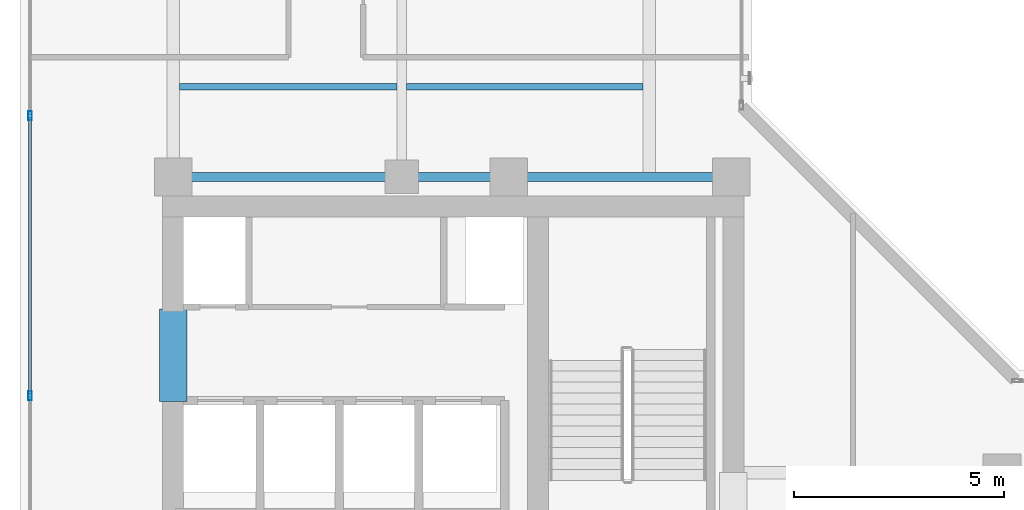
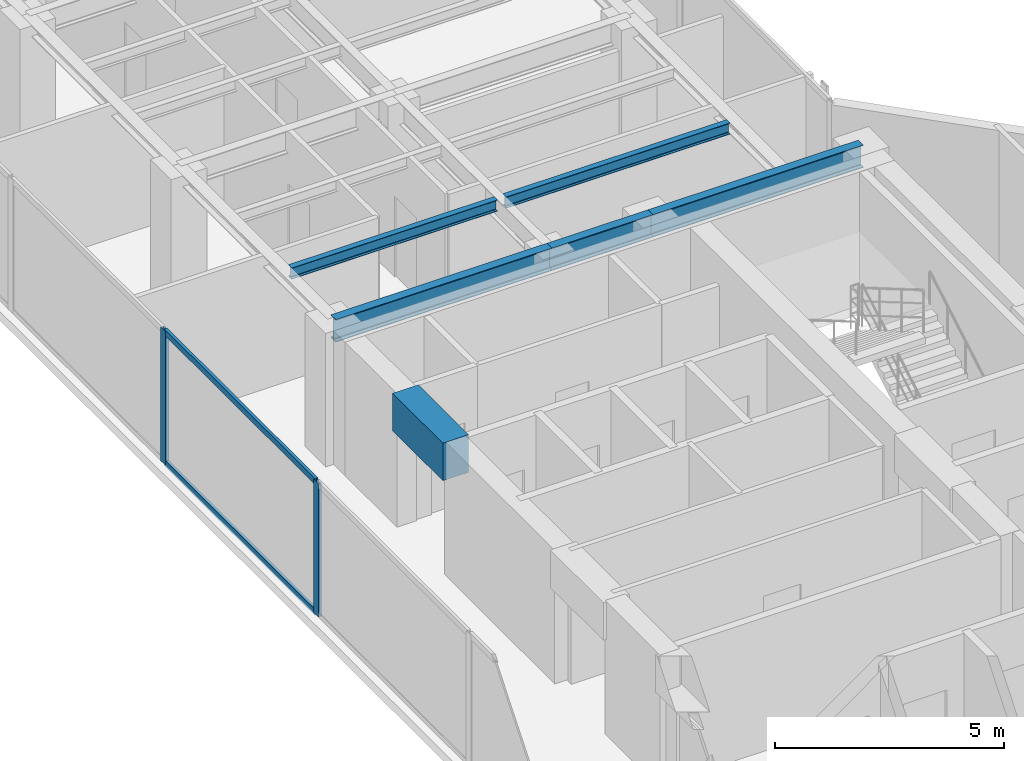
# One storey, part 7 of 22: 6 beams, 4 members, 1 element without a shape of its own.
"""IFC4 building model written with IfcOpenShell, lengths in metres."""

import ifcopenshell
import ifcopenshell.guid

model = None  # the IFC model being written
_history = None  # IfcOwnerHistory: only IFC2X3 demands one
_inside = {}  # id of a spatial element -> (the spatial element, [elements in it])
_under = {}  # id of a project, library or spatial element -> (it, [spatial elements below it])
_declared = {}  # id of a project -> (the project, [libraries it declares])
_typed = {}  # id of a type object -> (the type object, [elements of that type])
_made_of = {}  # id of a material, layer set ... -> (it, [elements and type objects made of it])


def new_model(schema):
    """Start an empty IFC model of exactly this schema.

    Asked for "IFC4X3", IfcOpenShell would pick the latest addendum, in which some entities
    have other attributes; the version numbers below select the first issue.
    IFC2X3 requires an IfcOwnerHistory on every rooted entity: one is made here for all.
    """
    global model, _history
    if schema == "IFC4X3":
        model = ifcopenshell.file(schema_version=(4, 3, 0, 0))
    else:
        model = ifcopenshell.file(schema=schema)
    _inside.clear()
    _under.clear()
    _declared.clear()
    _typed.clear()
    _made_of.clear()
    _history = None
    if model.schema == "IFC2X3":
        org = make("IfcOrganization", Name="unknown")
        user = make(
            "IfcPersonAndOrganization",
            ThePerson=make("IfcPerson", FamilyName="unknown"),
            TheOrganization=org,
        )
        app = make(
            "IfcApplication",
            ApplicationDeveloper=org,
            Version="unknown",
            ApplicationFullName="unknown",
            ApplicationIdentifier="unknown",
        )
        _history = make(
            "IfcOwnerHistory",
            OwningUser=user,
            OwningApplication=app,
            ChangeAction="ADDED",
            CreationDate=0,
        )
    return model


def make(cls, **values):
    """One entity of the class cls with the attributes given. An attribute that is None is left unset."""
    return model.create_entity(
        cls, **{name: value for name, value in values.items() if value is not None}
    )


def rooted(cls, **values):
    """An entity with a GlobalId (a new one), such as an element, a storey or a relation."""
    return make(cls, GlobalId=ifcopenshell.guid.new(), OwnerHistory=_history, **values)


def si_unit(unit_type, name, prefix=None):
    """IfcSIUnit, for example si_unit("LENGTHUNIT", "METRE", prefix="MILLI")."""
    return make("IfcSIUnit", UnitType=unit_type, Prefix=prefix, Name=name)


def assignment(units):
    """IfcUnitAssignment: the units of a project."""
    return None if units is None else make("IfcUnitAssignment", Units=units)


def point(xyz):
    """IfcCartesianPoint."""
    return None if xyz is None else make("IfcCartesianPoint", Coordinates=xyz)


def direction(xyz):
    """IfcDirection."""
    return None if xyz is None else make("IfcDirection", DirectionRatios=xyz)


def frame(location, z_axis=None, x_axis=None):
    """IfcAxis2Placement3D, a coordinate frame: its origin and axes. An axis left out is left unset."""
    return make(
        "IfcAxis2Placement3D",
        Location=point(location),
        Axis=direction(z_axis),
        RefDirection=direction(x_axis),
    )


def frame_2d(location, x_axis=None):
    """IfcAxis2Placement2D, a coordinate frame in the plane: its origin and x axis."""
    return make(
        "IfcAxis2Placement2D", Location=point(location), RefDirection=direction(x_axis)
    )


def origin():
    """The frame at (0, 0, 0) with its axes left unset."""
    return frame((0.0, 0.0, 0.0))


def origin_with_axes():
    """The frame at (0, 0, 0) with the z axis (0, 0, 1) and the x axis (1, 0, 0) written out."""
    return frame((0.0, 0.0, 0.0), z_axis=(0.0, 0.0, 1.0), x_axis=(1.0, 0.0, 0.0))


def origin_2d():
    """The frame at (0, 0) in the plane with its x axis left unset."""
    return frame_2d((0.0, 0.0))


def place(relative_to, where):
    """IfcLocalPlacement: puts the frame where relative to a parent placement (None: the world)."""
    return make(
        "IfcLocalPlacement", PlacementRelTo=relative_to, RelativePlacement=where
    )


def context(
    kind, dimensions, precision=None, world=None, true_north=None, identifier=None
):
    """IfcGeometricRepresentationContext, for example the 3D "Model" context."""
    return make(
        "IfcGeometricRepresentationContext",
        ContextIdentifier=identifier,
        ContextType=kind,
        CoordinateSpaceDimension=dimensions,
        Precision=precision,
        WorldCoordinateSystem=world,
        TrueNorth=true_north,
    )


def subcontext(parent, identifier, kind, view, scale=None):
    """IfcGeometricRepresentationSubContext, for example "Body" below "Model"."""
    return make(
        "IfcGeometricRepresentationSubContext",
        ContextIdentifier=identifier,
        ContextType=kind,
        ParentContext=parent,
        TargetScale=scale,
        TargetView=view,
    )


def project(units=None, contexts=None):
    """IfcProject with its units and contexts."""
    return rooted(
        "IfcProject",
        Name="project",
        RepresentationContexts=contexts,
        UnitsInContext=assignment(units),
    )


def spatial(cls, under=None, at=None, **own):
    """A site, building, storey or space (cls), placed at a placement, below another one or the project."""
    s = rooted(cls, ObjectPlacement=at, **own)
    if under is not None:
        _under.setdefault(under.id(), (under, []))[1].append(s)
    return s


def profile(cls, at=None, kind="AREA", **sizes):
    """A parametric profile (cls). Its sizes go by their IFC names, for example OverallWidth=200.0."""
    return make(cls, ProfileType=kind, Position=at, **sizes)


def rectangle(**sizes):
    """IfcRectangleProfileDef."""
    return profile("IfcRectangleProfileDef", **sizes)


def hollow_rectangle(**sizes):
    """IfcRectangleHollowProfileDef."""
    return profile("IfcRectangleHollowProfileDef", **sizes)


def i_section(**sizes):
    """IfcIShapeProfileDef."""
    return profile("IfcIShapeProfileDef", **sizes)


def extrude(swept, where, along, depth):
    """IfcExtrudedAreaSolid: the profile swept, set in the frame where, extruded along a direction by depth."""
    return make(
        "IfcExtrudedAreaSolid",
        SweptArea=swept,
        Position=where,
        ExtrudedDirection=direction(along),
        Depth=depth,
    )


def shape(context_of_items, identifier, shape_type, items):
    """IfcShapeRepresentation: the items that make up one representation, for example the "Body"."""
    return make(
        "IfcShapeRepresentation",
        ContextOfItems=context_of_items,
        RepresentationIdentifier=identifier,
        RepresentationType=shape_type,
        Items=items,
    )


def source(mapping_origin, context_of_items, identifier, shape_type, items):
    """IfcRepresentationMap: a shape defined once, which mapped items show again and again."""
    return make(
        "IfcRepresentationMap",
        MappingOrigin=mapping_origin,
        MappedRepresentation=shape(context_of_items, identifier, shape_type, items),
    )


def transform(
    local_origin,
    x_axis=None,
    y_axis=None,
    z_axis=None,
    scale=None,
    scale2=None,
    scale3=None,
    uniform=True,
):
    """IfcCartesianTransformationOperator3D, or its non-uniform kind. x_axis, y_axis, z_axis: its Axis1, 2, 3."""
    if uniform:
        return make(
            "IfcCartesianTransformationOperator3D",
            Axis1=direction(x_axis),
            Axis2=direction(y_axis),
            LocalOrigin=point(local_origin),
            Scale=scale,
            Axis3=direction(z_axis),
        )
    return make(
        "IfcCartesianTransformationOperator3DnonUniform",
        Axis1=direction(x_axis),
        Axis2=direction(y_axis),
        LocalOrigin=point(local_origin),
        Scale=scale,
        Axis3=direction(z_axis),
        Scale2=scale2,
        Scale3=scale3,
    )


def mapped(mapping_source, mapping_target):
    """IfcMappedItem: shows the shape of a source again, moved by a transform."""
    return make(
        "IfcMappedItem", MappingSource=mapping_source, MappingTarget=mapping_target
    )


def material(Name=None, Category=None):
    """IfcMaterial."""
    return make("IfcMaterial", Name=Name, Category=Category)


def layer(
    of_material, thickness, ventilated=None, Name=None, Category=None, Priority=None
):
    """IfcMaterialLayer: one layer of a wall or slab, of a material (None: an air gap)."""
    return make(
        "IfcMaterialLayer",
        Material=of_material,
        LayerThickness=thickness,
        IsVentilated=ventilated,
        Name=Name,
        Category=Category,
        Priority=Priority,
    )


def layer_set(layers, Name=None):
    """IfcMaterialLayerSet."""
    return make("IfcMaterialLayerSet", MaterialLayers=layers, LayerSetName=Name)


def material_profile(
    of_material, cross_section, Name=None, Category=None, Priority=None
):
    """IfcMaterialProfile: a cross section and its material."""
    return make(
        "IfcMaterialProfile",
        Name=Name,
        Material=of_material,
        Profile=cross_section,
        Priority=Priority,
        Category=Category,
    )


def profile_set(profiles, Name=None, composite=None):
    """IfcMaterialProfileSet."""
    return make(
        "IfcMaterialProfileSet",
        Name=Name,
        MaterialProfiles=profiles,
        CompositeProfile=composite,
    )


def made_of(thing, what):
    """Note that an element or type object is made of a material, layer set ...; save() writes the relation."""
    if what is not None:
        _made_of.setdefault(what.id(), (what, []))[1].append(thing)
    return thing


def type_object(cls, material=None, **own):
    """A type object (cls), such as IfcWallType, which elements share."""
    return made_of(rooted(cls, **own), material)


def element(
    cls,
    number,
    at=None,
    inside=None,
    cuts=None,
    type_object=None,
    material=None,
    context=None,
    identifier="Body",
    shape_type=None,
    held_by="IfcProductDefinitionShape",
    body=None,
    shapes=None,
    **own,
):
    """One element of the class cls, such as IfcWall. Its Tag is "e" and its number.

    at: its placement. inside: the storey or other place that contains it. cuts: it is an
    opening in that element (IfcRelVoidsElement). A single representation is given by context,
    identifier, shape_type and body (its items); several are given by shapes. held_by: the class
    of the entity that holds the representations. save() writes the other relations.
    """
    e = rooted(cls, Tag="e%d" % number, ObjectPlacement=at, **own)
    if body is not None:
        shapes = [shape(context, identifier, shape_type, body)]
    if shapes is not None:
        e.Representation = make(held_by, Representations=shapes)
    if inside is not None:
        _inside.setdefault(inside.id(), (inside, []))[1].append(e)
    if cuts is not None:
        rooted(
            "IfcRelVoidsElement", RelatingBuildingElement=cuts, RelatedOpeningElement=e
        )
    if type_object is not None:
        _typed.setdefault(type_object.id(), (type_object, []))[1].append(e)
    return made_of(e, material)


def aggregate(whole, parts):
    """IfcRelAggregates: a whole, such as a stair, and the parts it consists of."""
    return rooted("IfcRelAggregates", RelatingObject=whole, RelatedObjects=parts)


def save(model, path):
    """Write the relations noted so far, then the file.

    IfcRelAggregates (storeys below a building ...), IfcRelContainedInSpatialStructure (elements
    in a storey), IfcRelDefinesByType, IfcRelAssociatesMaterial and IfcRelDeclares: one each for
    every whole, place, type object, material and project.
    """
    for whole, parts in _under.values():
        aggregate(whole, parts)
    for where, things in _inside.values():
        rooted(
            "IfcRelContainedInSpatialStructure",
            RelatedElements=things,
            RelatingStructure=where,
        )
    for kind, things in _typed.values():
        rooted("IfcRelDefinesByType", RelatedObjects=things, RelatingType=kind)
    for what, things in _made_of.values():
        rooted("IfcRelAssociatesMaterial", RelatedObjects=things, RelatingMaterial=what)
    for by, libraries in _declared.values():
        rooted("IfcRelDeclares", RelatingContext=by, RelatedDefinitions=libraries)
    model.write(path)


model = new_model("IFC4")

# Units and contexts
model_context = context("Model", 3, precision=1e-05, world=origin(), true_north=direction((0.0, 1.0)))
body_context = subcontext(model_context, "Body", "Model", "MODEL_VIEW")
ifc_project = project(units=[si_unit("LENGTHUNIT", "METRE"), si_unit("AREAUNIT", "SQUARE_METRE"), si_unit("VOLUMEUNIT", "CUBIC_METRE"), si_unit("PLANEANGLEUNIT", "RADIAN"), si_unit("MASSUNIT", "GRAM", prefix="KILO")], contexts=[model_context])

# Site, building, storey
site_placement = place(None, origin())
site = spatial("IfcSite", under=ifc_project, at=site_placement, CompositionType="ELEMENT")
building_placement = place(site_placement, origin())
building = spatial("IfcBuilding", under=site, at=building_placement, Name="Kolvaren Waterfront Exchange", CompositionType="ELEMENT")
storey_placement = place(building_placement, frame((0.0, 0.0, 323.60009765625)))
storey = spatial("IfcBuildingStorey", under=building, at=storey_placement, Name="L83", CompositionType="ELEMENT", Elevation=323.60009765625)

# Beams
ifc_material_1 = material(Name="Steel S355", Category="steel")
ifc_material_profile_1 = material_profile(ifc_material_1, i_section(OverallWidth=0.14990234375, OverallDepth=0.300048828125, WebThickness=0.007080078125, FlangeThickness=0.0107421875, FilletRadius=0.014892578125, at=origin_2d()), Name="IPE300")
ifc_profile_set_1 = profile_set([ifc_material_profile_1], Name="Steel S355")
beam_type_1 = type_object("IfcBeamType", Name="STR-BM-IPE300", PredefinedType="JOIST", material=ifc_profile_set_1)
beam_1_placement = place(storey_placement, frame((7.60205078125, 26.60009765625, 3.409912109375), z_axis=(1.0, 0.0, 0.0), x_axis=(0.0, 1.0, 0.0)))
element("IfcBeam", 1, at=beam_1_placement, inside=storey, type_object=beam_type_1, Name="L83 north-arm composite joist 1A", PredefinedType="JOIST", context=body_context, shape_type="SweptSolid", body=[
    extrude(i_section(OverallWidth=0.14990234375, OverallDepth=0.300048828125, WebThickness=0.007080078125, FlangeThickness=0.0107421875, FilletRadius=0.014892578125, at=origin_2d()), origin(), (0.0, 0.0, 1.0), 5.18603515625),
])
beam_2_placement = place(storey_placement, frame((13.011962890625, 26.60009765625, 3.409912109375), z_axis=(1.0, 0.0, 0.0), x_axis=(0.0, 1.0, 0.0)))
element("IfcBeam", 2, at=beam_2_placement, inside=storey, type_object=beam_type_1, Name="L83 north-arm composite joist 1B", PredefinedType="JOIST", context=body_context, shape_type="SweptSolid", body=[
    extrude(i_section(OverallWidth=0.14990234375, OverallDepth=0.300048828125, WebThickness=0.007080078125, FlangeThickness=0.0107421875, FilletRadius=0.014892578125, at=origin_2d()), origin(), (0.0, 0.0, 1.0), 5.635986328125),
])
ifc_material_profile_2 = material_profile(ifc_material_1, i_section(OverallWidth=0.219970703125, OverallDepth=0.60009765625, WebThickness=0.011962890625, FlangeThickness=0.01904296875, FilletRadius=0.02392578125, at=origin_2d()), Name="IPE600")
ifc_profile_set_2 = profile_set([ifc_material_profile_2], Name="Steel S355")
beam_type_2 = type_object("IfcBeamType", Name="STR-BM-IPE600", PredefinedType="BEAM", material=ifc_profile_set_2)
beam_3_placement = place(storey_placement, frame((7.449951171875, 24.449951171875, 3.260009765625), z_axis=(1.0, 0.0, 0.0), x_axis=(0.0, 1.0, 0.0)))
element("IfcBeam", 3, at=beam_3_placement, inside=storey, type_object=beam_type_2, Name="L83 north-arm girder 1A", PredefinedType="BEAM", context=body_context, shape_type="SweptSolid", body=[
    extrude(i_section(OverallWidth=0.219970703125, OverallDepth=0.60009765625, WebThickness=0.011962890625, FlangeThickness=0.01904296875, FilletRadius=0.02392578125, at=origin_2d()), origin(), (0.0, 0.0, 1.0), 5.449951171875),
])
beam_4_placement = place(storey_placement, frame((12.89990234375, 24.449951171875, 3.260009765625), z_axis=(1.0, 0.0, 0.0), x_axis=(0.0, 1.0, 0.0)))
element("IfcBeam", 4, at=beam_4_placement, inside=storey, type_object=beam_type_2, Name="L83 north-arm girder 1B", PredefinedType="BEAM", context=body_context, shape_type="SweptSolid", body=[
    extrude(i_section(OverallWidth=0.219970703125, OverallDepth=0.60009765625, WebThickness=0.011962890625, FlangeThickness=0.01904296875, FilletRadius=0.02392578125, at=origin_2d()), origin(), (0.0, 0.0, 1.0), 2.550048828125),
])
beam_5_placement = place(storey_placement, frame((15.449951171875, 24.449951171875, 3.260009765625), z_axis=(1.0, 0.0, 0.0), x_axis=(0.0, 1.0, 0.0)))
element("IfcBeam", 5, at=beam_5_placement, inside=storey, type_object=beam_type_2, Name="L83 north-arm girder 1C", PredefinedType="BEAM", context=body_context, shape_type="SweptSolid", body=[
    extrude(i_section(OverallWidth=0.219970703125, OverallDepth=0.60009765625, WebThickness=0.011962890625, FlangeThickness=0.01904296875, FilletRadius=0.02392578125, at=origin_2d()), origin(), (0.0, 0.0, 1.0), 5.300048828125),
])
ifc_material_2 = material(Name="Concrete C60/75", Category="concrete")
ifc_material_profile_3 = material_profile(ifc_material_2, rectangle(XDim=0.64990234375, YDim=1.0, at=origin_2d()), Name="RC-CB-1000x650")
ifc_profile_set_3 = profile_set([ifc_material_profile_3], Name="Concrete C60/75")
beam_type_3 = type_object("IfcBeamType", Name="STR-CB-1000", PredefinedType="SPANDREL", material=ifc_profile_set_3)
beam_6_placement = place(storey_placement, frame((7.449951171875, 19.10009765625, 3.059814453125), z_axis=(0.0, 1.0, 0.0), x_axis=(-1.0, 0.0, 0.0)))
element("IfcBeam", 6, at=beam_6_placement, inside=storey, type_object=beam_type_3, Name="L83 core coupling beam 5", PredefinedType="SPANDREL", context=body_context, shape_type="SweptSolid", body=[
    extrude(rectangle(XDim=0.64990234375, YDim=1.0, at=origin_2d()), origin(), (0.0, 0.0, 1.0), 2.199951171875),
])

# Curtain wall, members
ifc_material_3 = material(Name="Anodised aluminium 6063-T6", Category="aluminium")
ifc_layer = layer(ifc_material_3, 0.219970703125, Name="Anodised aluminium 6063-T6")
ifc_layer_set = layer_set([ifc_layer], Name="Anodised aluminium 6063-T6")
curtain_wall_type = type_object("IfcCurtainWallType", Name="ARC-CW-SYS2", PredefinedType="USERDEFINED", material=ifc_layer_set)
curtain_wall_placement = place(storey_placement, origin())
curtain_wall = element("IfcCurtainWall", 7, at=curtain_wall_placement, inside=storey, type_object=curtain_wall_type, Name="L83 stick curtain wall CW2 (CW-L83-W)", ObjectType="STICK CURTAIN WALL", PredefinedType="USERDEFINED")
ifc_material_profile_4 = material_profile(ifc_material_3, hollow_rectangle(XDim=0.080078125, YDim=0.219970703125, WallThickness=0.0048828125, at=origin_2d()), Name="ALU-MUL-220x80x5")
ifc_profile_set_4 = profile_set([ifc_material_profile_4], Name="Anodised aluminium 6063-T6")
member_type_1 = type_object("IfcMemberType", Name="ARC-CWM-220", PredefinedType="MULLION", material=ifc_profile_set_4)
shared_shape_1 = source(origin_with_axes(), body_context, "Body", "SweptSolid", [
    extrude(hollow_rectangle(XDim=0.080078125, YDim=0.219970703125, WallThickness=0.0048828125, at=origin_2d()), origin(), (0.0, 0.0, 1.0), 3.559814453125),
])
member_1_placement = place(storey_placement, frame((4.0400390625, 19.23681640625, 0.0), z_axis=(0.0, 0.0, 1.0), x_axis=(-1.0, 0.0, 0.0)))
member_1 = element("IfcMember", 8, at=member_1_placement, type_object=member_type_1, Name="CW2 mullion 3", PredefinedType="MULLION", context=body_context, shape_type="MappedRepresentation", body=[
    mapped(shared_shape_1, transform((0.0, 0.0, 0.0), x_axis=(1.0, 0.0, 0.0), y_axis=(0.0, 1.0, 0.0), z_axis=(0.0, 0.0, 1.0), scale=1.0)),
])
member_2_placement = place(storey_placement, frame((4.0400390625, 25.9052734375, 0.0), z_axis=(0.0, 0.0, 1.0), x_axis=(-1.0, 0.0, 0.0)))
member_2 = element("IfcMember", 9, at=member_2_placement, type_object=member_type_1, Name="CW2 mullion 4", PredefinedType="MULLION", context=body_context, shape_type="MappedRepresentation", body=[
    mapped(shared_shape_1, transform((0.0, 0.0, 0.0), x_axis=(1.0, 0.0, 0.0), y_axis=(0.0, 1.0, 0.0), z_axis=(0.0, 0.0, 1.0), scale=1.0)),
])
ifc_material_profile_5 = material_profile(ifc_material_3, hollow_rectangle(XDim=0.074951171875, YDim=0.159912109375, WallThickness=0.00439453125, at=origin_2d()), Name="ALU-TRN-160x75x4.5")
ifc_profile_set_5 = profile_set([ifc_material_profile_5], Name="Anodised aluminium 6063-T6")
member_type_2 = type_object("IfcMemberType", Name="ARC-CWT-160", PredefinedType="USERDEFINED", material=ifc_profile_set_5)
shared_shape_2 = source(origin_with_axes(), body_context, "Body", "SweptSolid", [
    extrude(hollow_rectangle(XDim=0.074951171875, YDim=0.159912109375, WallThickness=0.00439453125, at=origin_2d()), origin(), (0.0, 0.0, 1.0), 6.58837890625),
])
member_3_placement = place(storey_placement, frame((4.0400390625, 19.27685546875, 0.037353515625), z_axis=(0.0, 1.0, 0.0), x_axis=(-1.0, 0.0, 0.0)))
member_3 = element("IfcMember", 10, at=member_3_placement, type_object=member_type_2, Name="CW2 transom 3.1", ObjectType="TRANSOM", PredefinedType="USERDEFINED", context=body_context, shape_type="MappedRepresentation", body=[
    mapped(shared_shape_2, transform((0.0, 0.0, 0.0), x_axis=(1.0, 0.0, 0.0), y_axis=(0.0, 1.0, 0.0), z_axis=(0.0, 0.0, 1.0), scale=1.0)),
])
member_4_placement = place(storey_placement, frame((4.0400390625, 19.27685546875, 3.5224609375), z_axis=(0.0, 1.0, 0.0), x_axis=(-1.0, 0.0, 0.0)))
member_4 = element("IfcMember", 11, at=member_4_placement, type_object=member_type_2, Name="CW2 transom 3.2", ObjectType="TRANSOM", PredefinedType="USERDEFINED", context=body_context, shape_type="MappedRepresentation", body=[
    mapped(shared_shape_2, transform((0.0, 0.0, 0.0), x_axis=(1.0, 0.0, 0.0), y_axis=(0.0, 1.0, 0.0), z_axis=(0.0, 0.0, 1.0), scale=1.0)),
])
aggregate(curtain_wall, [member_1, member_2, member_3, member_4])

save(model, "model.ifc")
